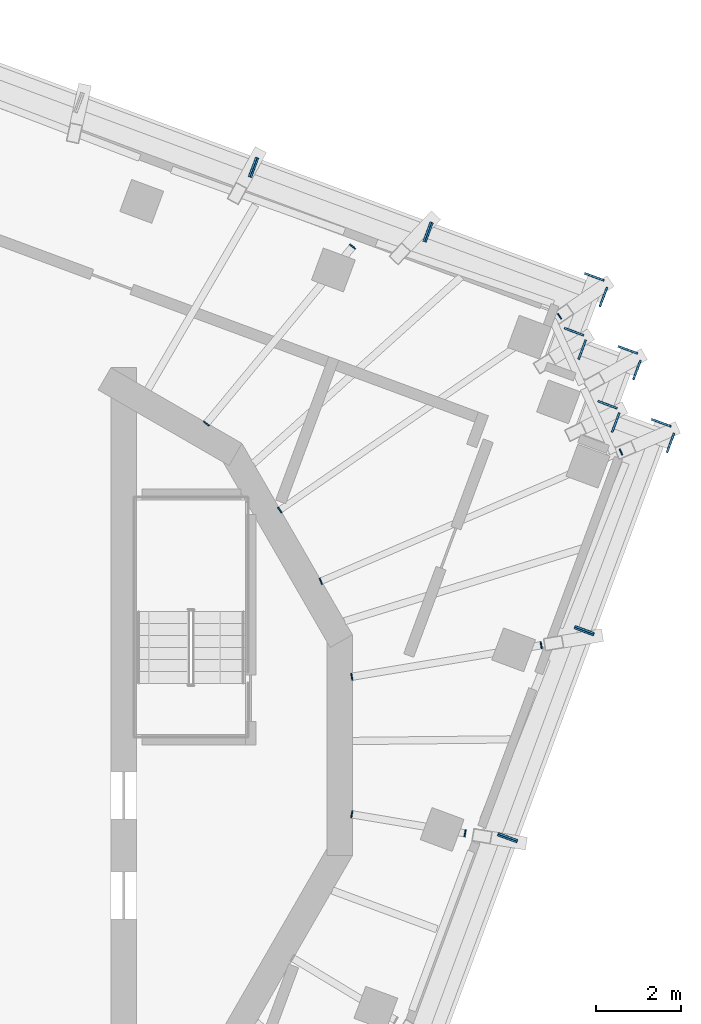
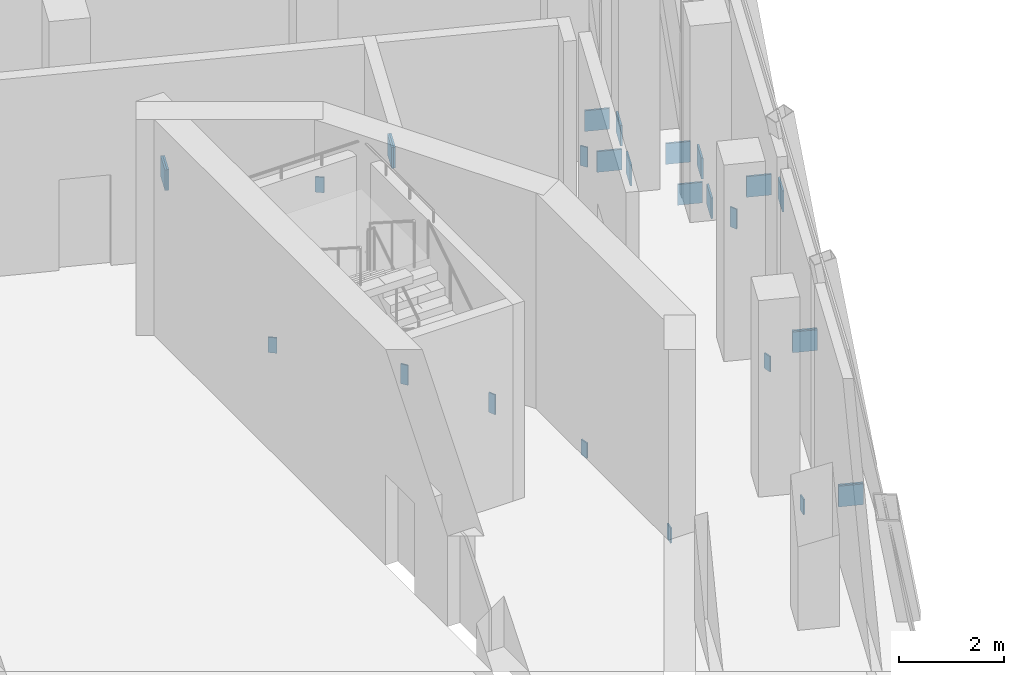
# One storey, part 10 of 13: 28 discrete accessories, 10 elements without a shape of their own.
"""IFC4 building model written with IfcOpenShell, lengths in metres."""

from ifc_helpers import new_model, si_unit, direction, frame, origin, place, context, subcontext, project, spatial, polyline, outline, extrude, material, layer, layer_set, type_object, element, aggregate, save


model = new_model("IFC4")

# Units and contexts
model_context = context("Model", 3, precision=1e-05, world=origin(), true_north=direction((0.0, 1.0)))
body_context = subcontext(model_context, "Body", "Model", "MODEL_VIEW")
ifc_project = project(units=[si_unit("LENGTHUNIT", "METRE"), si_unit("AREAUNIT", "SQUARE_METRE"), si_unit("VOLUMEUNIT", "CUBIC_METRE"), si_unit("PLANEANGLEUNIT", "RADIAN"), si_unit("MASSUNIT", "GRAM", prefix="KILO")], contexts=[model_context])

# Site, building, storey
site_placement = place(None, origin())
site = spatial("IfcSite", under=ifc_project, at=site_placement, CompositionType="ELEMENT")
building_placement = place(site_placement, origin())
building = spatial("IfcBuilding", under=site, at=building_placement, Name="Cantera Rosa Tower", CompositionType="ELEMENT")
storey_placement = place(building_placement, frame((0.0, 0.0, 355.699951171875)))
storey = spatial("IfcBuildingStorey", under=building, at=storey_placement, Name="L80", CompositionType="ELEMENT", Elevation=355.699951171875)

# Curtain wall, discrete accessories
ifc_material_1 = material(Name="Aluminium frame with clear glass", Category="aluminium")
curtain_wall_type = type_object("IfcCurtainWallType", Name="CW4 CROWN GLAZING", PredefinedType="NOTDEFINED", material=ifc_material_1)
curtain_wall_1_placement = place(storey_placement, origin())
curtain_wall_1 = element("IfcCurtainWall", 1, at=curtain_wall_1_placement, inside=storey, type_object=curtain_wall_type, Name="CW4 L80-01", PredefinedType="NOTDEFINED")
ifc_material_2 = material(Name="Steel S355J2 (EN 10025-2)", Category="steel")
ifc_layer = layer(ifc_material_2, 0.030029296875)
ifc_layer_set = layer_set([ifc_layer], Name="NODE PLATE 30")
discrete_accessory_type = type_object("IfcDiscreteAccessoryType", Name="NODE PLATE 30", PredefinedType="ANCHORPLATE", material=ifc_layer_set)
discrete_accessory_1_placement = place(storey_placement, frame((15.643798828125, 10.719482421875, -0.43505859375), z_axis=(0.937681233018, -0.347496626235, 0.0), x_axis=(-0.347496626235, -0.937681233018, 0.0)))
discrete_accessory_1 = element("IfcDiscreteAccessory", 2, at=discrete_accessory_1_placement, type_object=discrete_accessory_type, Name="END PLATE TE0", PredefinedType="ANCHORPLATE", context=body_context, shape_type="SweptSolid", body=[
    extrude(outline(polyline([(0.0, 0.0), (0.4798551533622547, 0.0), (0.4798551533622547, 0.47998046875), (0.0, 0.47998046875), (0.0, 0.0)])), origin(), (0.0, 0.0, -1.0), 0.0400390625),
])
discrete_accessory_2_placement = place(storey_placement, frame((11.31201171875, 11.81298828125, -0.43505859375), z_axis=(-0.93751537431, 0.347943850259, 0.0), x_axis=(0.347943850259, 0.93751537431, 0.0)))
discrete_accessory_2 = element("IfcDiscreteAccessory", 3, at=discrete_accessory_2_placement, type_object=discrete_accessory_type, Name="END PLATE TE1", PredefinedType="ANCHORPLATE", context=body_context, shape_type="SweptSolid", body=[
    extrude(outline(polyline([(0.0, 0.0), (0.47994004600337425, 0.0), (0.47994004600337425, 0.47998046875), (0.0, 0.47998046875), (0.0, 0.0)])), origin(), (0.0, 0.0, -1.0), 0.0400390625),
])
aggregate(curtain_wall_1, [discrete_accessory_1, discrete_accessory_2])

curtain_wall_2_placement = place(storey_placement, origin())
curtain_wall_2 = element("IfcCurtainWall", 4, at=curtain_wall_2_placement, inside=storey, type_object=curtain_wall_type, Name="CW4 L80-02", PredefinedType="NOTDEFINED")
discrete_accessory_3_placement = place(storey_placement, frame((11.553955078125, 12.235107421875, -0.43505859375), z_axis=(0.937681233018, -0.347496626235, 0.0), x_axis=(-0.347496626235, -0.937681233018, 0.0)))
discrete_accessory_3 = element("IfcDiscreteAccessory", 5, at=discrete_accessory_3_placement, type_object=discrete_accessory_type, Name="END PLATE TE0", PredefinedType="ANCHORPLATE", context=body_context, shape_type="SweptSolid", body=[
    extrude(outline(polyline([(0.0, 0.0), (0.4798551533622547, 0.0), (0.4798551533622547, 0.47998046875), (0.0, 0.47998046875), (0.0, 0.0)])), origin(), (0.0, 0.0, -1.0), 0.0400390625),
])
discrete_accessory_4_placement = place(storey_placement, frame((7.22216796875, 13.328369140625, -0.43505859375), z_axis=(-0.937576914778, 0.347777987911, 0.0), x_axis=(0.347777987911, 0.937576914778, 0.0)))
discrete_accessory_4 = element("IfcDiscreteAccessory", 6, at=discrete_accessory_4_placement, type_object=discrete_accessory_type, Name="END PLATE TE1", PredefinedType="ANCHORPLATE", context=body_context, shape_type="SweptSolid", body=[
    extrude(outline(polyline([(0.0, 0.0), (0.4801689391068604, 0.0), (0.4801689391068604, 0.47998046875), (0.0, 0.47998046875), (0.0, 0.0)])), origin(), (0.0, 0.0, -1.0), 0.0400390625),
])
aggregate(curtain_wall_2, [discrete_accessory_3, discrete_accessory_4])

# Curtain wall, discrete accessory
curtain_wall_3_placement = place(storey_placement, origin())
curtain_wall_3 = element("IfcCurtainWall", 7, at=curtain_wall_3_placement, inside=storey, type_object=curtain_wall_type, Name="CW4 L80-03", PredefinedType="NOTDEFINED")
discrete_accessory_5_placement = place(storey_placement, frame((7.464111328125, 13.750732421875, -0.43505859375), z_axis=(0.937681233018, -0.347496626235, 0.0), x_axis=(-0.347496626235, -0.937681233018, 0.0)))
discrete_accessory_5 = element("IfcDiscreteAccessory", 8, at=discrete_accessory_5_placement, type_object=discrete_accessory_type, Name="END PLATE TE0", PredefinedType="ANCHORPLATE", context=body_context, shape_type="SweptSolid", body=[
    extrude(outline(polyline([(0.0, 0.0), (0.4798551533622547, 0.0), (0.4798551533622547, 0.47998046875), (0.0, 0.47998046875), (0.0, 0.0)])), origin(), (0.0, 0.0, -1.0), 0.0400390625),
])
aggregate(curtain_wall_3, [discrete_accessory_5])

curtain_wall_4_placement = place(storey_placement, origin())
curtain_wall_4 = element("IfcCurtainWall", 9, at=curtain_wall_4_placement, inside=storey, type_object=curtain_wall_type, Name="CW4 L80-30", PredefinedType="NOTDEFINED")
discrete_accessory_6_placement = place(storey_placement, frame((13.08349609375, -2.047119140625, -0.43505859375), z_axis=(0.347496626235, 0.937681233018, 0.0), x_axis=(0.937681233018, -0.347496626235, 0.0)))
discrete_accessory_6 = element("IfcDiscreteAccessory", 10, at=discrete_accessory_6_placement, type_object=discrete_accessory_type, Name="END PLATE TE1", PredefinedType="ANCHORPLATE", context=body_context, shape_type="SweptSolid", body=[
    extrude(outline(polyline([(0.0, 0.0), (0.4798551533622547, 0.0), (0.4798551533622547, 0.47998046875), (0.0, 0.47998046875), (0.0, 0.0)])), origin(), (0.0, 0.0, -1.0), 0.0400390625),
])
aggregate(curtain_wall_4, [discrete_accessory_6])

# Curtain wall, discrete accessories
curtain_wall_5_placement = place(storey_placement, origin())
curtain_wall_5 = element("IfcCurtainWall", 11, at=curtain_wall_5_placement, inside=storey, type_object=curtain_wall_type, Name="CW4 L80-31", PredefinedType="NOTDEFINED")
discrete_accessory_7_placement = place(storey_placement, frame((13.505859375, -2.2890625, -0.43505859375), z_axis=(-0.347777987911, -0.937576914778, 0.0), x_axis=(-0.937576914778, 0.347777987911, 0.0)))
discrete_accessory_7 = element("IfcDiscreteAccessory", 12, at=discrete_accessory_7_placement, type_object=discrete_accessory_type, Name="END PLATE TE0", PredefinedType="ANCHORPLATE", context=body_context, shape_type="SweptSolid", body=[
    extrude(outline(polyline([(0.0, 0.0), (0.4801689391068604, 0.0), (0.4801689391068604, 0.47998046875), (0.0, 0.47998046875), (0.0, 0.0)])), origin(), (0.0, 0.0, -1.0), 0.0400390625),
])
discrete_accessory_8_placement = place(storey_placement, frame((14.881103515625, 2.8037109375, -0.43505859375), z_axis=(0.347496626235, 0.937681233018, 0.0), x_axis=(0.937681233018, -0.347496626235, 0.0)))
discrete_accessory_8 = element("IfcDiscreteAccessory", 13, at=discrete_accessory_8_placement, type_object=discrete_accessory_type, Name="END PLATE TE1", PredefinedType="ANCHORPLATE", context=body_context, shape_type="SweptSolid", body=[
    extrude(outline(polyline([(0.0, 0.0), (0.4798551533622547, 0.0), (0.4798551533622547, 0.47998046875), (0.0, 0.47998046875), (0.0, 0.0)])), origin(), (0.0, 0.0, -1.0), 0.0400390625),
])
aggregate(curtain_wall_5, [discrete_accessory_7, discrete_accessory_8])

curtain_wall_6_placement = place(storey_placement, origin())
curtain_wall_6 = element("IfcCurtainWall", 14, at=curtain_wall_6_placement, inside=storey, type_object=curtain_wall_type, Name="CW4 L80-32", PredefinedType="NOTDEFINED")
discrete_accessory_9_placement = place(storey_placement, frame((15.303466796875, 2.56201171875, -0.43505859375), z_axis=(-0.347330918501, -0.937742626232, 0.0), x_axis=(-0.937742626232, 0.347330918501, 0.0)))
discrete_accessory_9 = element("IfcDiscreteAccessory", 15, at=discrete_accessory_9_placement, type_object=discrete_accessory_type, Name="END PLATE TE0", PredefinedType="ANCHORPLATE", context=body_context, shape_type="SweptSolid", body=[
    extrude(outline(polyline([(0.0, 0.0), (0.4800840869406107, 0.0), (0.4800840869406107, 0.47998046875), (0.0, 0.47998046875), (0.0, 0.0)])), origin(), (0.0, 0.0, -1.0), 0.0400390625),
])
discrete_accessory_10_placement = place(storey_placement, frame((16.6787109375, 7.65478515625, -0.43505859375), z_axis=(0.347330918501, 0.937742626232, 0.0), x_axis=(0.937742626232, -0.347330918501, 0.0)))
discrete_accessory_10 = element("IfcDiscreteAccessory", 16, at=discrete_accessory_10_placement, type_object=discrete_accessory_type, Name="END PLATE TE1", PredefinedType="ANCHORPLATE", context=body_context, shape_type="SweptSolid", body=[
    extrude(outline(polyline([(0.0, 0.0), (0.4800840869406107, 0.0), (0.4800840869406107, 0.47998046875), (0.0, 0.47998046875), (0.0, 0.0)])), origin(), (0.0, 0.0, -1.0), 0.0400390625),
])
aggregate(curtain_wall_6, [discrete_accessory_9, discrete_accessory_10])

curtain_wall_7_placement = place(storey_placement, origin())
curtain_wall_7 = element("IfcCurtainWall", 17, at=curtain_wall_7_placement, inside=storey, type_object=curtain_wall_type, Name="CW4 L80-33", PredefinedType="NOTDEFINED")
discrete_accessory_11_placement = place(storey_placement, frame((17.215087890625, 7.30078125, -0.43505859375), z_axis=(0.937681233018, -0.347496626235, 0.0), x_axis=(-0.347496626235, -0.937681233018, 0.0)))
discrete_accessory_11 = element("IfcDiscreteAccessory", 18, at=discrete_accessory_11_placement, type_object=discrete_accessory_type, Name="END PLATE TE0", PredefinedType="ANCHORPLATE", context=body_context, shape_type="SweptSolid", body=[
    extrude(outline(polyline([(0.0, 0.0), (0.4798551533622547, 0.0), (0.4798551533622547, 0.47998046875), (0.0, 0.47998046875), (0.0, 0.0)])), origin(), (0.0, 0.0, -1.0), 0.0400390625),
])
discrete_accessory_12_placement = place(storey_placement, frame((15.72607421875, 7.3408203125, -0.43505859375), z_axis=(-0.937681233018, 0.347496626235, 0.0), x_axis=(0.347496626235, 0.937681233018, 0.0)))
discrete_accessory_12 = element("IfcDiscreteAccessory", 19, at=discrete_accessory_12_placement, type_object=discrete_accessory_type, Name="END PLATE TE1", PredefinedType="ANCHORPLATE", context=body_context, shape_type="SweptSolid", body=[
    extrude(outline(polyline([(0.0, 0.0), (0.4798551533622547, 0.0), (0.4798551533622547, 0.47998046875), (0.0, 0.47998046875), (0.0, 0.0)])), origin(), (0.0, 0.0, -1.0), 0.0400390625),
])
aggregate(curtain_wall_7, [discrete_accessory_11, discrete_accessory_12])

curtain_wall_8_placement = place(storey_placement, origin())
curtain_wall_8 = element("IfcCurtainWall", 20, at=curtain_wall_8_placement, inside=storey, type_object=curtain_wall_type, Name="CW4 L80-34", PredefinedType="NOTDEFINED")
discrete_accessory_13_placement = place(storey_placement, frame((15.854248046875, 7.875732421875, -0.43505859375), z_axis=(-0.347777987911, -0.937576914778, 0.0), x_axis=(-0.937576914778, 0.347777987911, 0.0)))
discrete_accessory_13 = element("IfcDiscreteAccessory", 21, at=discrete_accessory_13_placement, type_object=discrete_accessory_type, Name="END PLATE TE0", PredefinedType="ANCHORPLATE", context=body_context, shape_type="SweptSolid", body=[
    extrude(outline(polyline([(0.0, 0.0), (0.4801689391068604, 0.0), (0.4801689391068604, 0.47998046875), (0.0, 0.47998046875), (0.0, 0.0)])), origin(), (0.0, 0.0, -1.0), 0.0400390625),
])
discrete_accessory_14_placement = place(storey_placement, frame((15.89404296875, 9.36474609375, -0.43505859375), z_axis=(0.347330918501, 0.937742626232, 0.0), x_axis=(0.937742626232, -0.347330918501, 0.0)))
discrete_accessory_14 = element("IfcDiscreteAccessory", 22, at=discrete_accessory_14_placement, type_object=discrete_accessory_type, Name="END PLATE TE1", PredefinedType="ANCHORPLATE", context=body_context, shape_type="SweptSolid", body=[
    extrude(outline(polyline([(0.0, 0.0), (0.4800840869406107, 0.0), (0.4800840869406107, 0.47998046875), (0.0, 0.47998046875), (0.0, 0.0)])), origin(), (0.0, 0.0, -1.0), 0.0400390625),
])
aggregate(curtain_wall_8, [discrete_accessory_13, discrete_accessory_14])

curtain_wall_9_placement = place(storey_placement, origin())
curtain_wall_9 = element("IfcCurtainWall", 23, at=curtain_wall_9_placement, inside=storey, type_object=curtain_wall_type, Name="CW4 L80-35", PredefinedType="NOTDEFINED")
discrete_accessory_15_placement = place(storey_placement, frame((16.42919921875, 9.01025390625, -0.43505859375), z_axis=(0.937681233018, -0.347496626235, 0.0), x_axis=(-0.347496626235, -0.937681233018, 0.0)))
discrete_accessory_15 = element("IfcDiscreteAccessory", 24, at=discrete_accessory_15_placement, type_object=discrete_accessory_type, Name="END PLATE TE0", PredefinedType="ANCHORPLATE", context=body_context, shape_type="SweptSolid", body=[
    extrude(outline(polyline([(0.0, 0.0), (0.4798551533622547, 0.0), (0.4798551533622547, 0.47998046875), (0.0, 0.47998046875), (0.0, 0.0)])), origin(), (0.0, 0.0, -1.0), 0.0400390625),
])
discrete_accessory_16_placement = place(storey_placement, frame((14.9404296875, 9.050048828125, -0.43505859375), z_axis=(-0.937576914778, 0.347777987911, 0.0), x_axis=(0.347777987911, 0.937576914778, 0.0)))
discrete_accessory_16 = element("IfcDiscreteAccessory", 25, at=discrete_accessory_16_placement, type_object=discrete_accessory_type, Name="END PLATE TE1", PredefinedType="ANCHORPLATE", context=body_context, shape_type="SweptSolid", body=[
    extrude(outline(polyline([(0.0, 0.0), (0.4801689391068604, 0.0), (0.4801689391068604, 0.47998046875), (0.0, 0.47998046875), (0.0, 0.0)])), origin(), (0.0, 0.0, -1.0), 0.0400390625),
])
aggregate(curtain_wall_9, [discrete_accessory_15, discrete_accessory_16])

curtain_wall_10_placement = place(storey_placement, origin())
curtain_wall_10 = element("IfcCurtainWall", 26, at=curtain_wall_10_placement, inside=storey, type_object=curtain_wall_type, Name="CW4 L80-36", PredefinedType="NOTDEFINED")
discrete_accessory_17_placement = place(storey_placement, frame((15.069580078125, 9.5859375, -0.43505859375), z_axis=(-0.347330918501, -0.937742626232, 0.0), x_axis=(-0.937742626232, 0.347330918501, 0.0)))
discrete_accessory_17 = element("IfcDiscreteAccessory", 27, at=discrete_accessory_17_placement, type_object=discrete_accessory_type, Name="END PLATE TE0", PredefinedType="ANCHORPLATE", context=body_context, shape_type="SweptSolid", body=[
    extrude(outline(polyline([(0.0, 0.0), (0.4800840869406107, 0.0), (0.4800840869406107, 0.47998046875), (0.0, 0.47998046875), (0.0, 0.0)])), origin(), (0.0, 0.0, -1.0), 0.0400390625),
])
discrete_accessory_18_placement = place(storey_placement, frame((15.109375, 11.074951171875, -0.43505859375), z_axis=(0.347330918501, 0.937742626232, 0.0), x_axis=(0.937742626232, -0.347330918501, 0.0)))
discrete_accessory_18 = element("IfcDiscreteAccessory", 28, at=discrete_accessory_18_placement, type_object=discrete_accessory_type, Name="END PLATE TE1", PredefinedType="ANCHORPLATE", context=body_context, shape_type="SweptSolid", body=[
    extrude(outline(polyline([(0.0, 0.0), (0.4800840869406107, 0.0), (0.4800840869406107, 0.47998046875), (0.0, 0.47998046875), (0.0, 0.0)])), origin(), (0.0, 0.0, -1.0), 0.0400390625),
])
aggregate(curtain_wall_10, [discrete_accessory_17, discrete_accessory_18])

# Discrete accessories
discrete_accessory_19_placement = place(storey_placement, frame((0.0, 0.0, -0.909912109375)))
element("IfcDiscreteAccessory", 29, at=discrete_accessory_19_placement, inside=storey, type_object=discrete_accessory_type, Name="END PLATE CG-Z6-01 L80 A", PredefinedType="ANCHORPLATE", context=body_context, shape_type="SweptSolid", body=[
    extrude(outline(polyline([(14.4560546875, 10.103271484375), (14.480712890625, 10.120361328125), (14.568359375, 9.99365234375), (14.543701171875, 9.9765625), (14.4560546875, 10.103271484375)])), origin(), (0.0, 0.0, 1.0), 0.4599609375),
])
discrete_accessory_20_placement = place(storey_placement, frame((0.0, 0.0, -0.909912109375)))
element("IfcDiscreteAccessory", 30, at=discrete_accessory_20_placement, inside=storey, type_object=discrete_accessory_type, Name="END PLATE CG-Z6-01 L80 B", PredefinedType="ANCHORPLATE", context=body_context, shape_type="SweptSolid", body=[
    extrude(outline(polyline([(8.011962890625, 5.453857421875), (7.9873046875, 5.436767578125), (7.899658203125, 5.5634765625), (7.92431640625, 5.58056640625), (8.011962890625, 5.453857421875)])), origin(), (0.0, 0.0, 1.0), 0.4599609375),
])
discrete_accessory_21_placement = place(storey_placement, frame((0.0, 0.0, -0.805908203125)))
element("IfcDiscreteAccessory", 31, at=discrete_accessory_21_placement, inside=storey, type_object=discrete_accessory_type, Name="END PLATE CG-Z6-02 L80 A", PredefinedType="ANCHORPLATE", context=body_context, shape_type="SweptSolid", body=[
    extrude(outline(polyline([(9.58984375, 11.723388671875), (9.609130859375, 11.74658203125), (9.74072265625, 11.6376953125), (9.7216796875, 11.614501953125), (9.58984375, 11.723388671875)])), origin(), (0.0, 0.0, 1.0), 0.35595703125),
])
discrete_accessory_22_placement = place(storey_placement, frame((0.0, 0.0, -0.805908203125)))
element("IfcDiscreteAccessory", 32, at=discrete_accessory_22_placement, inside=storey, type_object=discrete_accessory_type, Name="END PLATE CG-Z6-02 L80 B", PredefinedType="ANCHORPLATE", context=body_context, shape_type="SweptSolid", body=[
    extrude(outline(polyline([(6.3115234375, 7.4931640625), (6.292236328125, 7.469970703125), (6.16064453125, 7.5791015625), (6.1796875, 7.602294921875), (6.3115234375, 7.4931640625)])), origin(), (0.0, 0.0, 1.0), 0.35595703125),
])
discrete_accessory_23_placement = place(storey_placement, frame((0.0, 0.0, -0.805908203125)))
element("IfcDiscreteAccessory", 33, at=discrete_accessory_23_placement, inside=storey, type_object=discrete_accessory_type, Name="END PLATE CG-Z6-14 L80 A", PredefinedType="ANCHORPLATE", context=body_context, shape_type="SweptSolid", body=[
    extrude(outline(polyline([(12.298583984375, -1.979736328125), (12.328125, -1.984619140625), (12.2998046875, -2.1533203125), (12.270263671875, -2.148193359375), (12.298583984375, -1.979736328125)])), origin(), (0.0, 0.0, 1.0), 0.35595703125),
])
discrete_accessory_24_placement = place(storey_placement, frame((0.0, 0.0, -0.805908203125)))
element("IfcDiscreteAccessory", 34, at=discrete_accessory_24_placement, inside=storey, type_object=discrete_accessory_type, Name="END PLATE CG-Z6-14 L80 B", PredefinedType="ANCHORPLATE", context=body_context, shape_type="SweptSolid", body=[
    extrude(outline(polyline([(9.64501953125, -1.707275390625), (9.615478515625, -1.7021484375), (9.643798828125, -1.53369140625), (9.67333984375, -1.53857421875), (9.64501953125, -1.707275390625)])), origin(), (0.0, 0.0, 1.0), 0.35595703125),
])
discrete_accessory_25_placement = place(storey_placement, frame((0.0, 0.0, -0.805908203125)))
element("IfcDiscreteAccessory", 35, at=discrete_accessory_25_placement, inside=storey, type_object=discrete_accessory_type, Name="END PLATE CG-Z6-15 L80 A", PredefinedType="ANCHORPLATE", context=body_context, shape_type="SweptSolid", body=[
    extrude(outline(polyline([(14.05419921875, 2.423095703125), (14.083984375, 2.427978515625), (14.11181640625, 2.25927734375), (14.082275390625, 2.25439453125), (14.05419921875, 2.423095703125)])), origin(), (0.0, 0.0, 1.0), 0.35595703125),
])
discrete_accessory_26_placement = place(storey_placement, frame((0.0, 0.0, -0.805908203125)))
element("IfcDiscreteAccessory", 36, at=discrete_accessory_26_placement, inside=storey, type_object=discrete_accessory_type, Name="END PLATE CG-Z6-15 L80 B", PredefinedType="ANCHORPLATE", context=body_context, shape_type="SweptSolid", body=[
    extrude(outline(polyline([(9.67333984375, 1.521484375), (9.643798828125, 1.5166015625), (9.61572265625, 1.685302734375), (9.645263671875, 1.690185546875), (9.67333984375, 1.521484375)])), origin(), (0.0, 0.0, 1.0), 0.35595703125),
])
discrete_accessory_27_placement = place(storey_placement, frame((0.0, 0.0, -0.909912109375)))
element("IfcDiscreteAccessory", 37, at=discrete_accessory_27_placement, inside=storey, type_object=discrete_accessory_type, Name="END PLATE CG-Z6-16 L80 A", PredefinedType="ANCHORPLATE", context=body_context, shape_type="SweptSolid", body=[
    extrude(outline(polyline([(15.9072265625, 6.934814453125), (15.9345703125, 6.94677734375), (15.99560546875, 6.80517578125), (15.968017578125, 6.79345703125), (15.9072265625, 6.934814453125)])), origin(), (0.0, 0.0, 1.0), 0.4599609375),
])
discrete_accessory_28_placement = place(storey_placement, frame((0.0, 0.0, -0.909912109375)))
element("IfcDiscreteAccessory", 38, at=discrete_accessory_28_placement, inside=storey, type_object=discrete_accessory_type, Name="END PLATE CG-Z6-16 L80 B", PredefinedType="ANCHORPLATE", context=body_context, shape_type="SweptSolid", body=[
    extrude(outline(polyline([(8.962890625, 3.7763671875), (8.935302734375, 3.764404296875), (8.87451171875, 3.906005859375), (8.90185546875, 3.917724609375), (8.962890625, 3.7763671875)])), origin(), (0.0, 0.0, 1.0), 0.4599609375),
])

save(model, "model.ifc")
